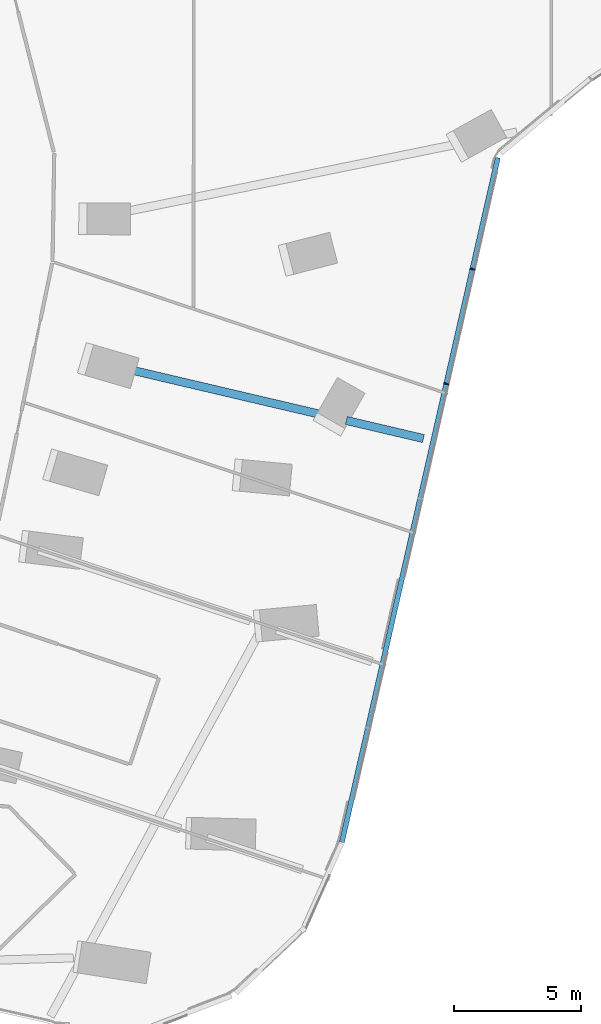
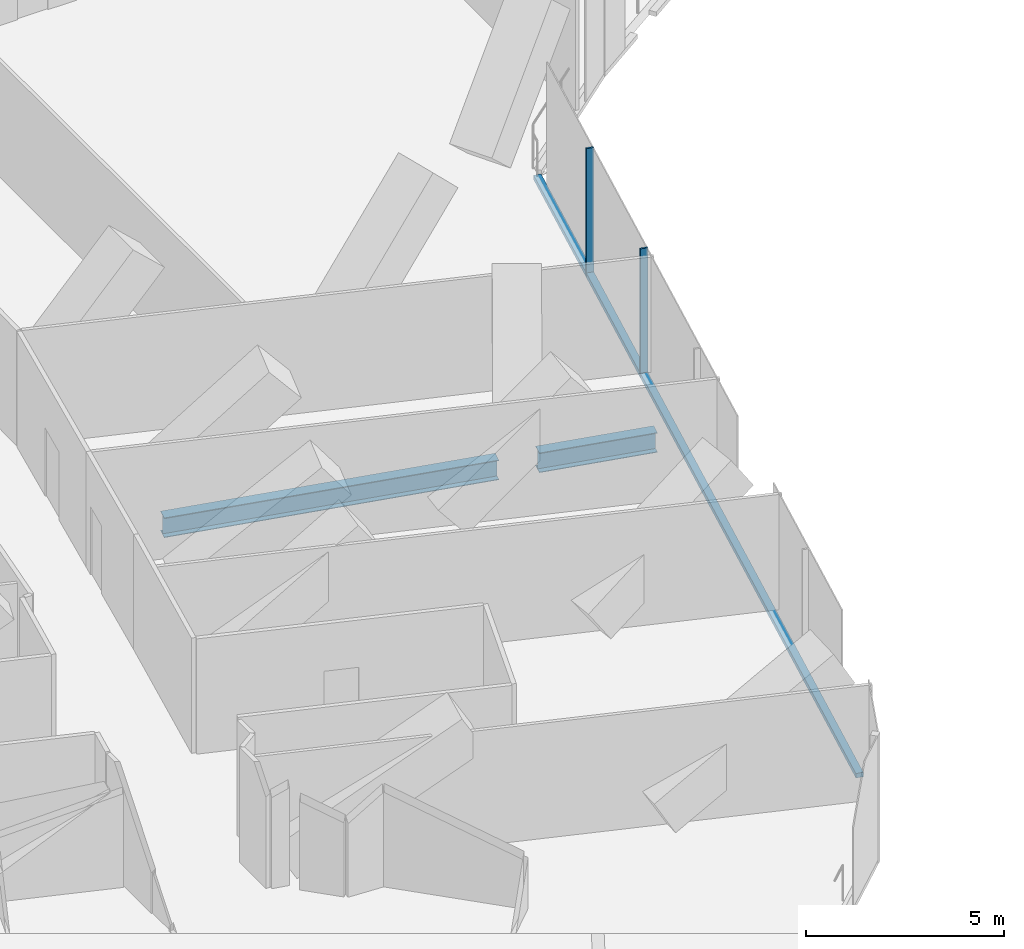
# One storey, part 5 of 28: 3 members, 2 beams, 1 element without a shape of its own.
"""IFC4 building model written with IfcOpenShell, lengths in metres."""

from ifc_helpers import new_model, si_unit, direction, frame, origin, origin_2d, place, context, subcontext, project, spatial, rectangle, i_section, extrude, material, material_profile, profile_set, type_object, element, aggregate, save


model = new_model("IFC4")

# Units and contexts
model_context = context("Model", 3, precision=1e-05, world=origin(), true_north=direction((0.0, 1.0)))
body_context = subcontext(model_context, "Body", "Model", "MODEL_VIEW")
ifc_project = project(units=[si_unit("LENGTHUNIT", "METRE"), si_unit("AREAUNIT", "SQUARE_METRE"), si_unit("VOLUMEUNIT", "CUBIC_METRE"), si_unit("PLANEANGLEUNIT", "RADIAN"), si_unit("MASSUNIT", "GRAM", prefix="KILO")], contexts=[model_context])

# Site, building, storey
site_placement = place(None, origin())
site = spatial("IfcSite", under=ifc_project, at=site_placement, CompositionType="ELEMENT")
building_placement = place(site_placement, origin())
building = spatial("IfcBuilding", under=site, at=building_placement, Name="Orlundy Tower", CompositionType="ELEMENT")
storey_placement = place(building_placement, frame((0.0, 0.0, 163.10009765625)))
storey = spatial("IfcBuildingStorey", under=building, at=storey_placement, Name="L42", CompositionType="ELEMENT", Elevation=163.10009765625)

# Beams
ifc_material_1 = material(Name="Steel ASTM A992 Gr 50", Category="steel")
ifc_material_profile_1 = material_profile(ifc_material_1, i_section(OverallWidth=0.32373046875, OverallDepth=0.611083984375, WebThickness=0.0126953125, FlangeThickness=0.01904296875, at=origin_2d()), Name="W24X104")
ifc_profile_set_1 = profile_set([ifc_material_profile_1], Name="Steel ASTM A992 Gr 50")
beam_type = type_object("IfcBeamType", Name="CANTILEVER GIRDER beam W24X104", PredefinedType="BEAM", material=ifc_profile_set_1)
beam_1_placement = place(storey_placement, frame((11.483642578125, -38.2841796875, -0.705810546875), z_axis=(-0.973588317679, 0.228310726157, 0.0), x_axis=(-0.228310726157, -0.973588317679, 0.0)))
element("IfcBeam", 1, at=beam_1_placement, inside=storey, type_object=beam_type, Name="Cantilever girder C-B5-1 L42", PredefinedType="BEAM", context=body_context, shape_type="SweptSolid", body=[
    extrude(i_section(OverallWidth=0.32373046875, OverallDepth=0.611083984375, WebThickness=0.0126953125, FlangeThickness=0.01904296875, at=origin_2d()), origin(), (0.0, 0.0, 1.0), 3.119140625),
])
beam_2_placement = place(storey_placement, frame((7.4052734375, -37.327880859375, -0.705810546875), z_axis=(-0.973587370312, 0.22831476599, 0.0), x_axis=(-0.22831476599, -0.973587370312, 0.0)))
element("IfcBeam", 2, at=beam_2_placement, inside=storey, type_object=beam_type, Name="Back-span girder C-B5-1 L42", PredefinedType="BEAM", context=body_context, shape_type="SweptSolid", body=[
    extrude(i_section(OverallWidth=0.32373046875, OverallDepth=0.611083984375, WebThickness=0.0126953125, FlangeThickness=0.01904296875, at=origin_2d()), origin(), (0.0, 0.0, 1.0), 8.846435546875),
])

# Curtain wall, members
ifc_material_2 = material(Name="Aluminium bronze anodised", Category="aluminium")
curtain_wall_type = type_object("IfcCurtainWallType", Name="CW5 wall", PredefinedType="NOTDEFINED", material=ifc_material_2)
curtain_wall_placement = place(storey_placement, origin())
curtain_wall = element("IfcCurtainWall", 3, at=curtain_wall_placement, inside=storey, type_object=curtain_wall_type, Name="CW5 run 031", PredefinedType="NOTDEFINED")
ifc_material_3 = material(Name="Aluminium bronze anodised", Category="aluminium")
ifc_material_profile_2 = material_profile(ifc_material_3, rectangle(XDim=0.199951171875, YDim=0.050048828125, at=origin_2d()), Name="CW5 mullion 50x200")
ifc_profile_set_2 = profile_set([ifc_material_profile_2], Name="Aluminium bronze anodised")
member_type_1 = type_object("IfcMemberType", Name="CW5 mullion 50x200", PredefinedType="MULLION", material=ifc_profile_set_2)
member_1_placement = place(storey_placement, frame((13.4130859375, -31.615234375, -0.400146484375), z_axis=(0.0, 0.0, 1.0), x_axis=(0.975022425628, -0.222106437373, 0.0)))
member_1 = element("IfcMember", 4, at=member_1_placement, type_object=member_type_1, Name="CW5 mullion 44", PredefinedType="MULLION", context=body_context, shape_type="SweptSolid", body=[
    extrude(rectangle(XDim=0.199951171875, YDim=0.050048828125, at=origin_2d()), origin(), (0.0, 0.0, 1.0), 3.97998046875),
])
member_2_placement = place(storey_placement, frame((12.384521484375, -36.130126953125, -0.400146484375), z_axis=(0.0, 0.0, 1.0), x_axis=(0.975022425628, -0.222106437373, 0.0)))
member_2 = element("IfcMember", 5, at=member_2_placement, type_object=member_type_1, Name="CW5 mullion 45", PredefinedType="MULLION", context=body_context, shape_type="SweptSolid", body=[
    extrude(rectangle(XDim=0.199951171875, YDim=0.050048828125, at=origin_2d()), origin(), (0.0, 0.0, 1.0), 3.97998046875),
])
ifc_material_4 = material(Name="Aluminium bronze anodised", Category="aluminium")
ifc_material_profile_3 = material_profile(ifc_material_4, rectangle(XDim=0.199951171875, YDim=0.139892578125, at=origin_2d()), Name="CW5 transom 200x140")
ifc_profile_set_3 = profile_set([ifc_material_profile_3], Name="Aluminium bronze anodised")
member_type_2 = type_object("IfcMemberType", Name="CW5 transom 200x140", PredefinedType="USERDEFINED", material=ifc_profile_set_3)
member_3_placement = place(storey_placement, frame((14.411865234375, -27.230712890625, -0.330078125), z_axis=(-0.222108692842, -0.975021911838, 0.0), x_axis=(0.975021911838, -0.222108692842, 0.0)))
member_3 = element("IfcMember", 6, at=member_3_placement, type_object=member_type_2, Name="CW5 transom", ObjectType="TRANSOM", PredefinedType="USERDEFINED", context=body_context, shape_type="SweptSolid", body=[
    extrude(rectangle(XDim=0.199951171875, YDim=0.139892578125, at=origin_2d()), origin(), (0.0, 0.0, 1.0), 27.634765625),
])
aggregate(curtain_wall, [member_1, member_2, member_3])

save(model, "model.ifc")
